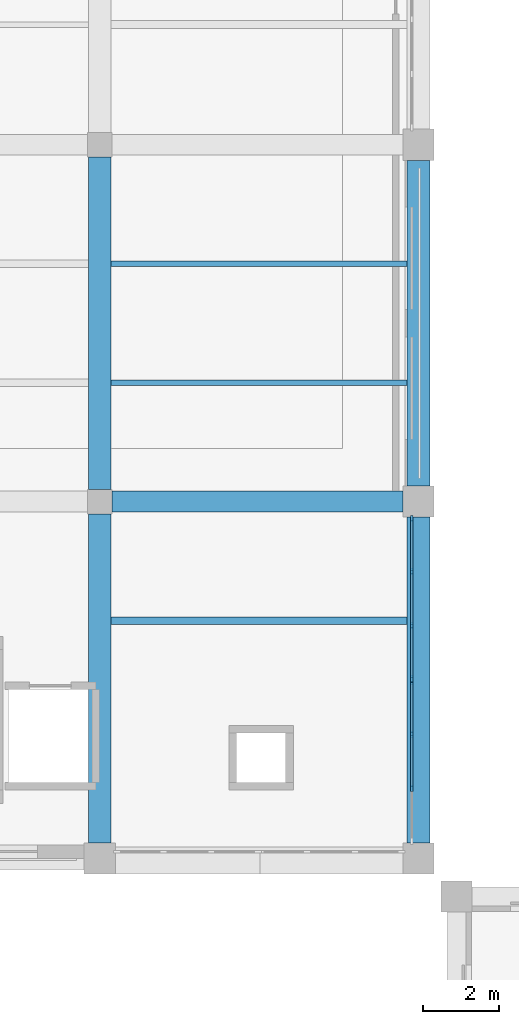
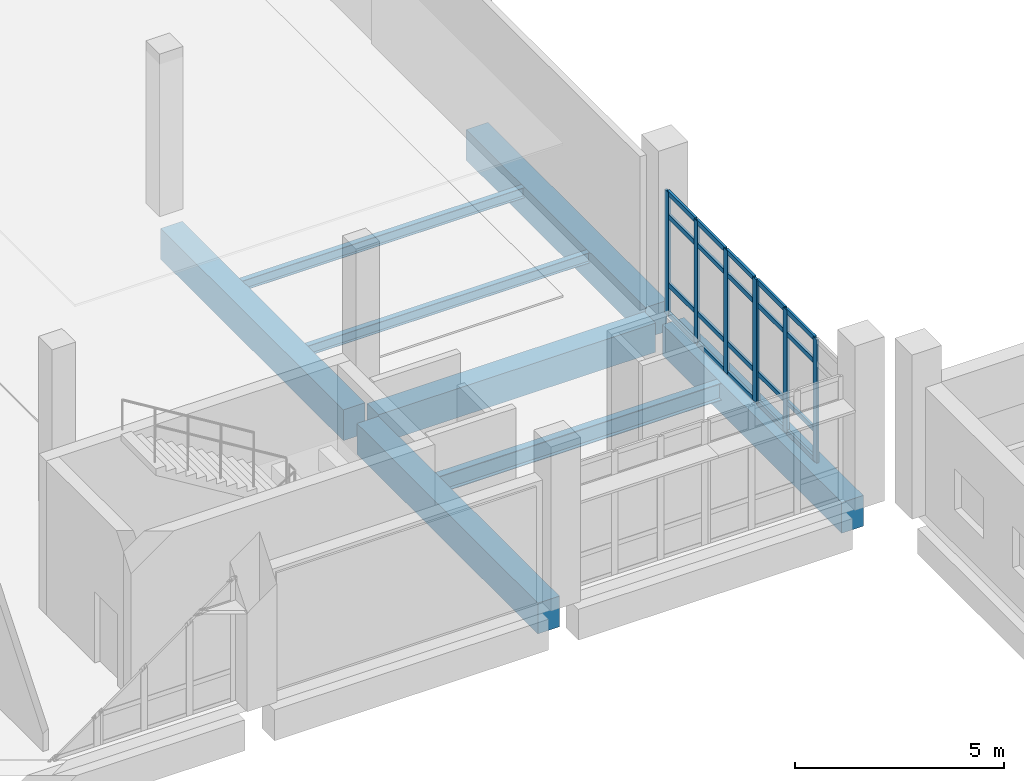
# One storey, part 19 of 73: 27 members, 8 beams, 2 elements without a shape of their own.
"""IFC4 building model written with IfcOpenShell, lengths in metres."""

from ifc_helpers import new_model, si_unit, direction, frame, origin, origin_2d, place, context, subcontext, project, spatial, rectangle, i_section, extrude, material, layer, layer_set, material_profile, profile_set, type_object, element, aggregate, save


model = new_model("IFC4")

# Units and contexts
model_context = context("Model", 3, precision=1e-05, world=origin(), true_north=direction((0.0, 1.0)))
body_context = subcontext(model_context, "Body", "Model", "MODEL_VIEW")
ifc_project = project(units=[si_unit("LENGTHUNIT", "METRE"), si_unit("AREAUNIT", "SQUARE_METRE"), si_unit("VOLUMEUNIT", "CUBIC_METRE"), si_unit("PLANEANGLEUNIT", "RADIAN"), si_unit("MASSUNIT", "GRAM", prefix="KILO")], contexts=[model_context])

# Site, building, storey
site_placement = place(None, origin())
site = spatial("IfcSite", under=ifc_project, at=site_placement, CompositionType="ELEMENT")
building_placement = place(site_placement, origin())
building = spatial("IfcBuilding", under=site, at=building_placement, Name="Kelarvand Opera House", CompositionType="ELEMENT")
storey_placement = place(building_placement, frame((0.0, 0.0, 10.199951171875)))
storey = spatial("IfcBuildingStorey", under=building, at=storey_placement, Name="L02", CompositionType="ELEMENT", Elevation=10.199951171875)

# Curtain wall, members
ifc_material_1 = material(Name="Thermally broken aluminium and low-E glazing", Category="aluminium")
ifc_layer = layer(ifc_material_1, 0.179931640625, Name="Thermally broken aluminium and low-E glazing", Category="aluminium")
ifc_layer_set = layer_set([ifc_layer], Name="Thermally broken aluminium and low-E glazing")
curtain_wall_type = type_object("IfcCurtainWallType", Name="Unitised Low-E Curtain Wall 4276x3600 Mod 1350 CWF-16", PredefinedType="USERDEFINED", material=ifc_layer_set)
curtain_wall_1_placement = place(storey_placement, origin())
curtain_wall_1 = element("IfcCurtainWall", 1, at=curtain_wall_1_placement, inside=storey, type_object=curtain_wall_type, Name="V3 L02 Curtain Wall CWF-16 (69)", ObjectType="UNITISED CURTAIN WALL", PredefinedType="USERDEFINED")
ifc_material_2 = material(Name="Thermally broken anodised aluminium", Category="aluminium")
ifc_material_profile_1 = material_profile(ifc_material_2, rectangle(XDim=0.06494140625, YDim=0.179931640625, at=origin_2d()), Name="ALU MULLION 65x180", Category="aluminium")
ifc_profile_set_1 = profile_set([ifc_material_profile_1], Name="Thermally broken anodised aluminium")
member_type_1 = type_object("IfcMemberType", Name="Curtain Wall Mullion 65x180 Aluminium", PredefinedType="MULLION", material=ifc_profile_set_1)
member_1_placement = place(storey_placement, frame((50.820068359375, 96.1474609375, 0.0), z_axis=(0.0, 0.0, 1.0), x_axis=(1.0, 0.0, 0.0)))
member_1 = element("IfcMember", 2, at=member_1_placement, type_object=member_type_1, Name="CWF-16 mullion 1", PredefinedType="MULLION", context=body_context, shape_type="SweptSolid", body=[
    extrude(rectangle(XDim=0.06494140625, YDim=0.179931640625, at=origin_2d()), origin(), (0.0, 0.0, 1.0), 3.60009765625),
])
member_2_placement = place(storey_placement, frame((50.820068359375, 94.754638671875, 0.0), z_axis=(0.0, 0.0, 1.0), x_axis=(1.0, 0.0, 0.0)))
member_2 = element("IfcMember", 3, at=member_2_placement, type_object=member_type_1, Name="CWF-16 mullion 2", PredefinedType="MULLION", context=body_context, shape_type="SweptSolid", body=[
    extrude(rectangle(XDim=0.06494140625, YDim=0.179931640625, at=origin_2d()), origin(), (0.0, 0.0, 1.0), 3.60009765625),
])
member_3_placement = place(storey_placement, frame((50.820068359375, 93.329345703125, 0.0), z_axis=(0.0, 0.0, 1.0), x_axis=(1.0, 0.0, 0.0)))
member_3 = element("IfcMember", 4, at=member_3_placement, type_object=member_type_1, Name="CWF-16 mullion 3", PredefinedType="MULLION", context=body_context, shape_type="SweptSolid", body=[
    extrude(rectangle(XDim=0.06494140625, YDim=0.179931640625, at=origin_2d()), origin(), (0.0, 0.0, 1.0), 3.60009765625),
])
member_4_placement = place(storey_placement, frame((50.820068359375, 91.9365234375, 0.0), z_axis=(0.0, 0.0, 1.0), x_axis=(1.0, 0.0, 0.0)))
member_4 = element("IfcMember", 5, at=member_4_placement, type_object=member_type_1, Name="CWF-16 mullion 4", PredefinedType="MULLION", context=body_context, shape_type="SweptSolid", body=[
    extrude(rectangle(XDim=0.06494140625, YDim=0.179931640625, at=origin_2d()), origin(), (0.0, 0.0, 1.0), 3.60009765625),
])

curtain_wall_2_placement = place(storey_placement, origin())
curtain_wall_2 = element("IfcCurtainWall", 6, at=curtain_wall_2_placement, inside=storey, type_object=curtain_wall_type, Name="V3 L02 Curtain Wall CWF-16 (70)", ObjectType="UNITISED CURTAIN WALL", PredefinedType="USERDEFINED")
member_5_placement = place(storey_placement, frame((50.820068359375, 91.867431640625, 0.0), z_axis=(0.0, 0.0, 1.0), x_axis=(1.0, 0.0, 0.0)))
member_5 = element("IfcMember", 7, at=member_5_placement, type_object=member_type_1, Name="CWF-16 mullion 1", PredefinedType="MULLION", context=body_context, shape_type="SweptSolid", body=[
    extrude(rectangle(XDim=0.06494140625, YDim=0.179931640625, at=origin_2d()), origin(), (0.0, 0.0, 1.0), 3.60009765625),
])
member_6_placement = place(storey_placement, frame((50.820068359375, 90.473388671875, 0.0), z_axis=(0.0, 0.0, 1.0), x_axis=(1.0, 0.0, 0.0)))
member_6 = element("IfcMember", 8, at=member_6_placement, type_object=member_type_1, Name="CWF-16 mullion 2", PredefinedType="MULLION", context=body_context, shape_type="SweptSolid", body=[
    extrude(rectangle(XDim=0.06494140625, YDim=0.179931640625, at=origin_2d()), origin(), (0.0, 0.0, 1.0), 3.60009765625),
])
member_7_placement = place(storey_placement, frame((50.820068359375, 89.046630859375, 0.0), z_axis=(0.0, 0.0, 1.0), x_axis=(1.0, 0.0, 0.0)))
member_7 = element("IfcMember", 9, at=member_7_placement, type_object=member_type_1, Name="CWF-16 mullion 3", PredefinedType="MULLION", context=body_context, shape_type="SweptSolid", body=[
    extrude(rectangle(XDim=0.06494140625, YDim=0.179931640625, at=origin_2d()), origin(), (0.0, 0.0, 1.0), 3.60009765625),
])

# Member
ifc_material_profile_2 = material_profile(ifc_material_2, rectangle(XDim=0.06494140625, YDim=0.139892578125, at=origin_2d()), Name="ALU TRANSOM 65x140", Category="aluminium")
ifc_profile_set_2 = profile_set([ifc_material_profile_2], Name="Thermally broken anodised aluminium")
member_type_2 = type_object("IfcMemberType", Name="Curtain Wall Transom 65x140 Aluminium", PredefinedType="USERDEFINED", material=ifc_profile_set_2)
member_8_placement = place(storey_placement, frame((50.820068359375, 96.114990234375, 0.032470703125), z_axis=(0.0, -1.0, 0.0), x_axis=(1.0, 0.0, 0.0)))
member_8 = element("IfcMember", 10, at=member_8_placement, type_object=member_type_2, Name="CWF-16 transom 1.1", ObjectType="TRANSOM", PredefinedType="USERDEFINED", context=body_context, shape_type="SweptSolid", body=[
    extrude(rectangle(XDim=0.06494140625, YDim=0.139892578125, at=origin_2d()), origin(), (0.0, 0.0, 1.0), 1.327880859375),
])

member_9_placement = place(storey_placement, frame((50.820068359375, 96.114990234375, 0.900146484375), z_axis=(0.0, -1.0, 0.0), x_axis=(1.0, 0.0, 0.0)))
member_9 = element("IfcMember", 11, at=member_9_placement, type_object=member_type_2, Name="CWF-16 transom 1.2", ObjectType="TRANSOM", PredefinedType="USERDEFINED", context=body_context, shape_type="SweptSolid", body=[
    extrude(rectangle(XDim=0.06494140625, YDim=0.139892578125, at=origin_2d()), origin(), (0.0, 0.0, 1.0), 1.327880859375),
])

member_10_placement = place(storey_placement, frame((50.820068359375, 96.114990234375, 2.900146484375), z_axis=(0.0, -1.0, 0.0), x_axis=(1.0, 0.0, 0.0)))
member_10 = element("IfcMember", 12, at=member_10_placement, type_object=member_type_2, Name="CWF-16 transom 1.3", ObjectType="TRANSOM", PredefinedType="USERDEFINED", context=body_context, shape_type="SweptSolid", body=[
    extrude(rectangle(XDim=0.06494140625, YDim=0.139892578125, at=origin_2d()), origin(), (0.0, 0.0, 1.0), 1.327880859375),
])

member_11_placement = place(storey_placement, frame((50.820068359375, 96.114990234375, 3.567626953125), z_axis=(0.0, -1.0, 0.0), x_axis=(1.0, 0.0, 0.0)))
member_11 = element("IfcMember", 13, at=member_11_placement, type_object=member_type_2, Name="CWF-16 transom 1.4", ObjectType="TRANSOM", PredefinedType="USERDEFINED", context=body_context, shape_type="SweptSolid", body=[
    extrude(rectangle(XDim=0.06494140625, YDim=0.139892578125, at=origin_2d()), origin(), (0.0, 0.0, 1.0), 1.327880859375),
])

member_12_placement = place(storey_placement, frame((50.820068359375, 94.72216796875, 0.032470703125), z_axis=(0.0, -1.0, 0.0), x_axis=(1.0, 0.0, 0.0)))
member_12 = element("IfcMember", 14, at=member_12_placement, type_object=member_type_2, Name="CWF-16 transom 2.1", ObjectType="TRANSOM", PredefinedType="USERDEFINED", context=body_context, shape_type="SweptSolid", body=[
    extrude(rectangle(XDim=0.06494140625, YDim=0.139892578125, at=origin_2d()), origin(), (0.0, 0.0, 1.0), 1.3603515625),
])

member_13_placement = place(storey_placement, frame((50.820068359375, 94.72216796875, 0.900146484375), z_axis=(0.0, -1.0, 0.0), x_axis=(1.0, 0.0, 0.0)))
member_13 = element("IfcMember", 15, at=member_13_placement, type_object=member_type_2, Name="CWF-16 transom 2.2", ObjectType="TRANSOM", PredefinedType="USERDEFINED", context=body_context, shape_type="SweptSolid", body=[
    extrude(rectangle(XDim=0.06494140625, YDim=0.139892578125, at=origin_2d()), origin(), (0.0, 0.0, 1.0), 1.3603515625),
])

member_14_placement = place(storey_placement, frame((50.820068359375, 94.72216796875, 2.900146484375), z_axis=(0.0, -1.0, 0.0), x_axis=(1.0, 0.0, 0.0)))
member_14 = element("IfcMember", 16, at=member_14_placement, type_object=member_type_2, Name="CWF-16 transom 2.3", ObjectType="TRANSOM", PredefinedType="USERDEFINED", context=body_context, shape_type="SweptSolid", body=[
    extrude(rectangle(XDim=0.06494140625, YDim=0.139892578125, at=origin_2d()), origin(), (0.0, 0.0, 1.0), 1.3603515625),
])

member_15_placement = place(storey_placement, frame((50.820068359375, 94.72216796875, 3.567626953125), z_axis=(0.0, -1.0, 0.0), x_axis=(1.0, 0.0, 0.0)))
member_15 = element("IfcMember", 17, at=member_15_placement, type_object=member_type_2, Name="CWF-16 transom 2.4", ObjectType="TRANSOM", PredefinedType="USERDEFINED", context=body_context, shape_type="SweptSolid", body=[
    extrude(rectangle(XDim=0.06494140625, YDim=0.139892578125, at=origin_2d()), origin(), (0.0, 0.0, 1.0), 1.3603515625),
])

member_16_placement = place(storey_placement, frame((50.820068359375, 93.296875, 0.032470703125), z_axis=(0.0, -1.0, 0.0), x_axis=(1.0, 0.0, 0.0)))
member_16 = element("IfcMember", 18, at=member_16_placement, type_object=member_type_2, Name="CWF-16 transom 3.1", ObjectType="TRANSOM", PredefinedType="USERDEFINED", context=body_context, shape_type="SweptSolid", body=[
    extrude(rectangle(XDim=0.06494140625, YDim=0.139892578125, at=origin_2d()), origin(), (0.0, 0.0, 1.0), 1.327880859375),
])

member_17_placement = place(storey_placement, frame((50.820068359375, 93.296875, 0.900146484375), z_axis=(0.0, -1.0, 0.0), x_axis=(1.0, 0.0, 0.0)))
member_17 = element("IfcMember", 19, at=member_17_placement, type_object=member_type_2, Name="CWF-16 transom 3.2", ObjectType="TRANSOM", PredefinedType="USERDEFINED", context=body_context, shape_type="SweptSolid", body=[
    extrude(rectangle(XDim=0.06494140625, YDim=0.139892578125, at=origin_2d()), origin(), (0.0, 0.0, 1.0), 1.327880859375),
])

member_18_placement = place(storey_placement, frame((50.820068359375, 93.296875, 2.900146484375), z_axis=(0.0, -1.0, 0.0), x_axis=(1.0, 0.0, 0.0)))
member_18 = element("IfcMember", 20, at=member_18_placement, type_object=member_type_2, Name="CWF-16 transom 3.3", ObjectType="TRANSOM", PredefinedType="USERDEFINED", context=body_context, shape_type="SweptSolid", body=[
    extrude(rectangle(XDim=0.06494140625, YDim=0.139892578125, at=origin_2d()), origin(), (0.0, 0.0, 1.0), 1.327880859375),
])

member_19_placement = place(storey_placement, frame((50.820068359375, 93.296875, 3.567626953125), z_axis=(0.0, -1.0, 0.0), x_axis=(1.0, 0.0, 0.0)))
member_19 = element("IfcMember", 21, at=member_19_placement, type_object=member_type_2, Name="CWF-16 transom 3.4", ObjectType="TRANSOM", PredefinedType="USERDEFINED", context=body_context, shape_type="SweptSolid", body=[
    extrude(rectangle(XDim=0.06494140625, YDim=0.139892578125, at=origin_2d()), origin(), (0.0, 0.0, 1.0), 1.327880859375),
])

aggregate(curtain_wall_1, [member_1, member_2, member_3, member_4, member_8, member_9, member_10, member_11, member_12, member_13, member_14, member_15, member_16, member_17, member_18, member_19])

member_20_placement = place(storey_placement, frame((50.820068359375, 91.8349609375, 0.032470703125), z_axis=(0.0, -1.0, 0.0), x_axis=(1.0, 0.0, 0.0)))
member_20 = element("IfcMember", 22, at=member_20_placement, type_object=member_type_2, Name="CWF-16 transom 1.1", ObjectType="TRANSOM", PredefinedType="USERDEFINED", context=body_context, shape_type="SweptSolid", body=[
    extrude(rectangle(XDim=0.06494140625, YDim=0.139892578125, at=origin_2d()), origin(), (0.0, 0.0, 1.0), 1.3291015625),
])

member_21_placement = place(storey_placement, frame((50.820068359375, 91.8349609375, 0.900146484375), z_axis=(0.0, -1.0, 0.0), x_axis=(1.0, 0.0, 0.0)))
member_21 = element("IfcMember", 23, at=member_21_placement, type_object=member_type_2, Name="CWF-16 transom 1.2", ObjectType="TRANSOM", PredefinedType="USERDEFINED", context=body_context, shape_type="SweptSolid", body=[
    extrude(rectangle(XDim=0.06494140625, YDim=0.139892578125, at=origin_2d()), origin(), (0.0, 0.0, 1.0), 1.3291015625),
])

member_22_placement = place(storey_placement, frame((50.820068359375, 91.8349609375, 2.900146484375), z_axis=(0.0, -1.0, 0.0), x_axis=(1.0, 0.0, 0.0)))
member_22 = element("IfcMember", 24, at=member_22_placement, type_object=member_type_2, Name="CWF-16 transom 1.3", ObjectType="TRANSOM", PredefinedType="USERDEFINED", context=body_context, shape_type="SweptSolid", body=[
    extrude(rectangle(XDim=0.06494140625, YDim=0.139892578125, at=origin_2d()), origin(), (0.0, 0.0, 1.0), 1.3291015625),
])

member_23_placement = place(storey_placement, frame((50.820068359375, 91.8349609375, 3.567626953125), z_axis=(0.0, -1.0, 0.0), x_axis=(1.0, 0.0, 0.0)))
member_23 = element("IfcMember", 25, at=member_23_placement, type_object=member_type_2, Name="CWF-16 transom 1.4", ObjectType="TRANSOM", PredefinedType="USERDEFINED", context=body_context, shape_type="SweptSolid", body=[
    extrude(rectangle(XDim=0.06494140625, YDim=0.139892578125, at=origin_2d()), origin(), (0.0, 0.0, 1.0), 1.3291015625),
])

member_24_placement = place(storey_placement, frame((50.820068359375, 90.44091796875, 0.032470703125), z_axis=(0.0, -1.0, 0.0), x_axis=(1.0, 0.0, 0.0)))
member_24 = element("IfcMember", 26, at=member_24_placement, type_object=member_type_2, Name="CWF-16 transom 2.1", ObjectType="TRANSOM", PredefinedType="USERDEFINED", context=body_context, shape_type="SweptSolid", body=[
    extrude(rectangle(XDim=0.06494140625, YDim=0.139892578125, at=origin_2d()), origin(), (0.0, 0.0, 1.0), 1.36181640625),
])

member_25_placement = place(storey_placement, frame((50.820068359375, 90.44091796875, 0.900146484375), z_axis=(0.0, -1.0, 0.0), x_axis=(1.0, 0.0, 0.0)))
member_25 = element("IfcMember", 27, at=member_25_placement, type_object=member_type_2, Name="CWF-16 transom 2.2", ObjectType="TRANSOM", PredefinedType="USERDEFINED", context=body_context, shape_type="SweptSolid", body=[
    extrude(rectangle(XDim=0.06494140625, YDim=0.139892578125, at=origin_2d()), origin(), (0.0, 0.0, 1.0), 1.36181640625),
])

member_26_placement = place(storey_placement, frame((50.820068359375, 90.44091796875, 2.900146484375), z_axis=(0.0, -1.0, 0.0), x_axis=(1.0, 0.0, 0.0)))
member_26 = element("IfcMember", 28, at=member_26_placement, type_object=member_type_2, Name="CWF-16 transom 2.3", ObjectType="TRANSOM", PredefinedType="USERDEFINED", context=body_context, shape_type="SweptSolid", body=[
    extrude(rectangle(XDim=0.06494140625, YDim=0.139892578125, at=origin_2d()), origin(), (0.0, 0.0, 1.0), 1.36181640625),
])

member_27_placement = place(storey_placement, frame((50.820068359375, 90.44091796875, 3.567626953125), z_axis=(0.0, -1.0, 0.0), x_axis=(1.0, 0.0, 0.0)))
member_27 = element("IfcMember", 29, at=member_27_placement, type_object=member_type_2, Name="CWF-16 transom 2.4", ObjectType="TRANSOM", PredefinedType="USERDEFINED", context=body_context, shape_type="SweptSolid", body=[
    extrude(rectangle(XDim=0.06494140625, YDim=0.139892578125, at=origin_2d()), origin(), (0.0, 0.0, 1.0), 1.36181640625),
])

aggregate(curtain_wall_2, [member_5, member_6, member_7, member_20, member_21, member_22, member_23, member_24, member_25, member_26, member_27])

# Beams
ifc_material_3 = material(Name="Concrete C40/50", Category="concrete")
ifc_material_profile_3 = material_profile(ifc_material_3, rectangle(XDim=0.550048828125, YDim=0.85009765625, at=origin_2d()), Name="RC 550x850", Category="concrete")
ifc_profile_set_3 = profile_set([ifc_material_profile_3], Name="Concrete C40/50")
beam_type_1 = type_object("IfcBeamType", Name="Structural Beam RC 550x850 BM-RC550x850", PredefinedType="BEAM", material=ifc_profile_set_3)
beam_1_placement = place(storey_placement, frame((42.925048828125, 96.60009765625, -0.724853515625), z_axis=(1.0, 0.0, 0.0), x_axis=(0.0, 1.0, 0.0)))
element("IfcBeam", 30, at=beam_1_placement, inside=storey, type_object=beam_type_1, Name="V3 L02 Beam BM-RC550x850", PredefinedType="BEAM", context=body_context, shape_type="SweptSolid", body=[
    extrude(rectangle(XDim=0.550048828125, YDim=0.85009765625, at=origin_2d()), origin(), (0.0, 0.0, 1.0), 7.6650390625),
])
ifc_material_profile_4 = material_profile(ifc_material_3, rectangle(XDim=0.60009765625, YDim=0.89990234375, at=origin_2d()), Name="RC 600x900", Category="concrete")
ifc_profile_set_4 = profile_set([ifc_material_profile_4], Name="Concrete C40/50")
beam_type_2 = type_object("IfcBeamType", Name="Structural Beam RC 600x900 BM-RC600x900", PredefinedType="BEAM", material=ifc_profile_set_4)
beam_2_placement = place(storey_placement, frame((42.60009765625, 87.610107421875, -0.75), z_axis=(0.0, 1.0, 0.0), x_axis=(-1.0, 0.0, 0.0)))
element("IfcBeam", 31, at=beam_2_placement, inside=storey, type_object=beam_type_2, Name="V3 L02 Beam BM-RC600x900", PredefinedType="BEAM", context=body_context, shape_type="SweptSolid", body=[
    extrude(rectangle(XDim=0.60009765625, YDim=0.89990234375, at=origin_2d()), origin(), (0.0, 0.0, 1.0), 8.664794921875),
])
beam_3_placement = place(storey_placement, frame((42.60009765625, 96.925048828125, -0.75), z_axis=(0.0, 1.0, 0.0), x_axis=(-1.0, 0.0, 0.0)))
element("IfcBeam", 32, at=beam_3_placement, inside=storey, type_object=beam_type_2, Name="V3 L02 Beam BM-RC600x900", PredefinedType="BEAM", context=body_context, shape_type="SweptSolid", body=[
    extrude(rectangle(XDim=0.60009765625, YDim=0.89990234375, at=origin_2d()), origin(), (0.0, 0.0, 1.0), 8.75),
])
ifc_material_4 = material(Name="Steel S355", Category="steel")
ifc_material_profile_5 = material_profile(ifc_material_4, i_section(OverallWidth=0.14990234375, OverallDepth=0.300048828125, WebThickness=0.007080078125, FlangeThickness=0.0107421875, at=origin_2d()), Name="IPE 300", Category="steel")
ifc_profile_set_5 = profile_set([ifc_material_profile_5], Name="Steel S355")
beam_type_3 = type_object("IfcBeamType", Name="Structural Joist IPE 300 JS-IPE300", PredefinedType="JOIST", material=ifc_profile_set_5)
for number, where, z_axis, x_axis, name in (
    (33, (42.89990234375, 99.7333984375, -0.449951171875), (1.0, 0.0, 0.0), (0.0, 1.0, 0.0), "V3 L02 Beam JS-IPE300"),
    (34, (42.89990234375, 102.86669921875, -0.449951171875), (1.0, 0.0, 0.0), (0.0, 1.0, 0.0), "V3 L02 Beam JS-IPE300"),
):
    element("IfcBeam", number, at=place(storey_placement, frame(where, z_axis=z_axis, x_axis=x_axis)), inside=storey, type_object=beam_type_3, Name=name, PredefinedType="JOIST", context=body_context, shape_type="SweptSolid", body=[
        extrude(i_section(OverallWidth=0.14990234375, OverallDepth=0.300048828125, WebThickness=0.007080078125, FlangeThickness=0.0107421875, at=origin_2d()), origin(), (0.0, 0.0, 1.0), 7.800048828125),
    ])
ifc_material_profile_6 = material_profile(ifc_material_4, i_section(OverallWidth=0.199951171875, OverallDepth=0.5, WebThickness=0.01025390625, FlangeThickness=0.01611328125, at=origin_2d()), Name="IPE 500", Category="steel")
ifc_profile_set_6 = profile_set([ifc_material_profile_6], Name="Steel S355")
beam_type_4 = type_object("IfcBeamType", Name="Structural Joist IPE 500 JS-IPE500", PredefinedType="JOIST", material=ifc_profile_set_6)
beam_4_placement = place(storey_placement, frame((42.89990234375, 93.466796875, -0.550048828125), z_axis=(1.0, 0.0, 0.0), x_axis=(0.0, 1.0, 0.0)))
element("IfcBeam", 35, at=beam_4_placement, inside=storey, type_object=beam_type_4, Name="V3 L02 Beam JS-IPE500", PredefinedType="JOIST", context=body_context, shape_type="SweptSolid", body=[
    extrude(i_section(OverallWidth=0.199951171875, OverallDepth=0.5, WebThickness=0.01025390625, FlangeThickness=0.01611328125, at=origin_2d()), origin(), (0.0, 0.0, 1.0), 7.800048828125),
])
ifc_material_profile_7 = material_profile(ifc_material_3, rectangle(XDim=0.60009765625, YDim=0.89990234375, at=origin_2d()), Name="RC 600x900", Category="concrete")
ifc_profile_set_7 = profile_set([ifc_material_profile_7], Name="Concrete C40/50")
beam_type_5 = type_object("IfcBeamType", Name="Structural Spandrel RC 600x900 SP-RC600x900E", PredefinedType="SPANDREL", material=ifc_profile_set_7)
beam_5_placement = place(storey_placement, frame((51.0, 87.610107421875, -0.75), z_axis=(0.0, 1.0, 0.0), x_axis=(-1.0, 0.0, 0.0)))
element("IfcBeam", 36, at=beam_5_placement, inside=storey, type_object=beam_type_5, Name="V3 L02 Beam SP-RC600x900E", PredefinedType="SPANDREL", context=body_context, shape_type="SweptSolid", body=[
    extrude(rectangle(XDim=0.60009765625, YDim=0.89990234375, at=origin_2d()), origin(), (0.0, 0.0, 1.0), 8.579833984375),
])
beam_6_placement = place(storey_placement, frame((51.0, 97.010009765625, -0.75), z_axis=(0.0, 1.0, 0.0), x_axis=(-1.0, 0.0, 0.0)))
element("IfcBeam", 37, at=beam_6_placement, inside=storey, type_object=beam_type_5, Name="V3 L02 Beam SP-RC600x900E", PredefinedType="SPANDREL", context=body_context, shape_type="SweptSolid", body=[
    extrude(rectangle(XDim=0.60009765625, YDim=0.89990234375, at=origin_2d()), origin(), (0.0, 0.0, 1.0), 8.580078125),
])

save(model, "model.ifc")
